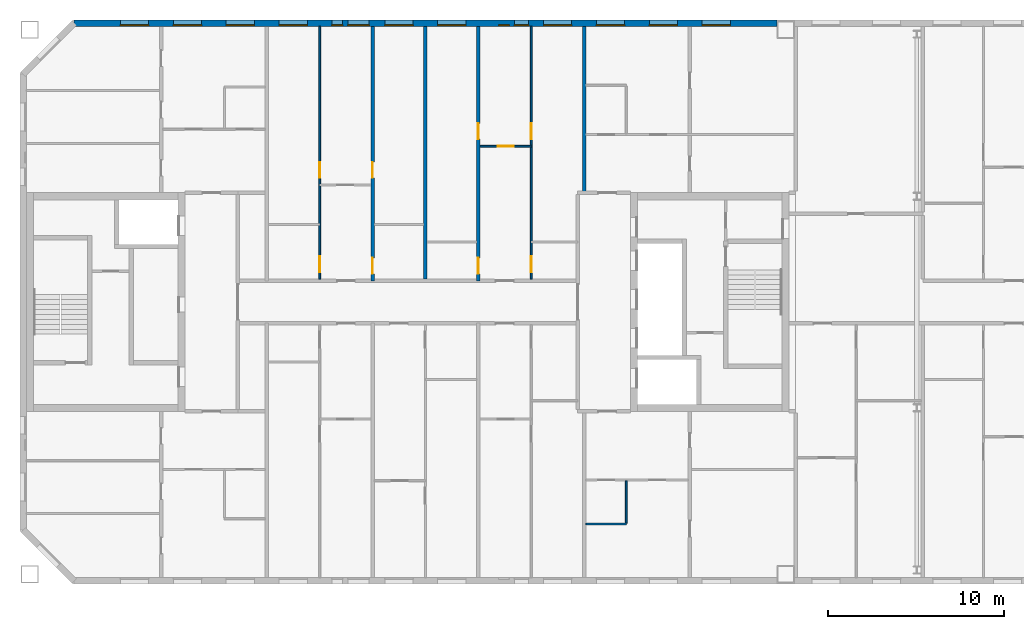
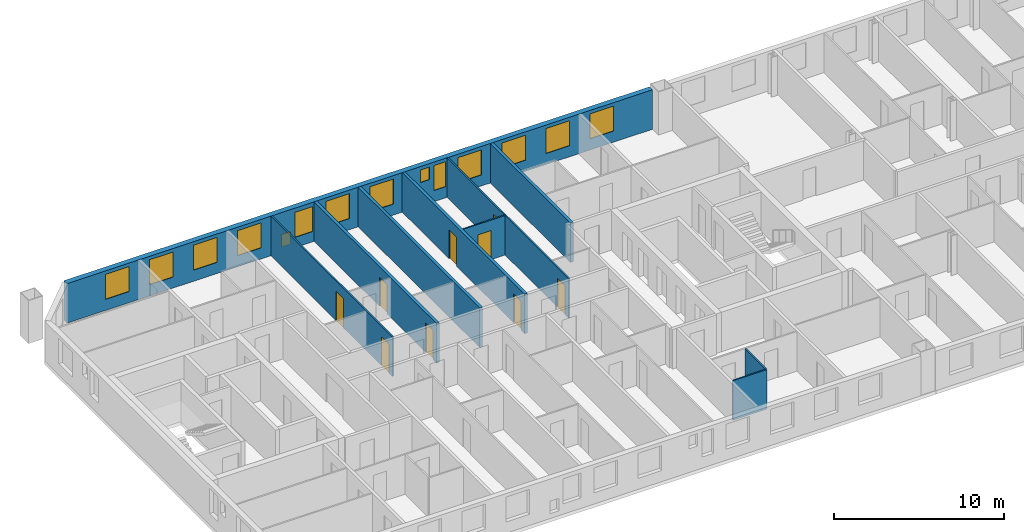
# One storey, part 7 of 19: 14 windows, 10 walls, 9 doors, 23 openings.
"""IFC4 building model written with IfcOpenShell, lengths in metres."""

from ifc_helpers import new_model, si_unit, direction, frame, frame_2d, origin, place, context, subcontext, project, spatial, rectangle, extrude, material, layer, layer_set, type_object, element, fill, save


model = new_model("IFC4")

# Units and contexts
model_context = context("Model", 3, precision=1e-05, world=origin(), true_north=direction((0.0, 1.0)))
body_context = subcontext(model_context, "Body", "Model", "MODEL_VIEW")
ifc_project = project(units=[si_unit("LENGTHUNIT", "METRE"), si_unit("AREAUNIT", "SQUARE_METRE"), si_unit("VOLUMEUNIT", "CUBIC_METRE"), si_unit("PLANEANGLEUNIT", "RADIAN"), si_unit("MASSUNIT", "GRAM", prefix="KILO")], contexts=[model_context])

# Site, building, storey
site_placement = place(None, origin())
site = spatial("IfcSite", under=ifc_project, at=site_placement, CompositionType="ELEMENT")
building_placement = place(site_placement, origin())
building = spatial("IfcBuilding", under=site, at=building_placement, Name="Tuart Gate Housing", CompositionType="ELEMENT")
storey_placement = place(building_placement, frame((0.0, 0.0, 227.60009765625)))
storey = spatial("IfcBuildingStorey", under=building, at=storey_placement, Name="L64", CompositionType="ELEMENT", Elevation=227.60009765625)

# Wall, openings, windows
ifc_material_1 = material(Name="Brick", Category="masonry")
ifc_layer_1 = layer(ifc_material_1, 0.360107421875)
ifc_layer_set_1 = layer_set([ifc_layer_1], Name="Brick pier and spandrel wall 360")
wall_type_1 = type_object("IfcWallType", Name="Brick pier and spandrel wall 360", PredefinedType="STANDARD", material=ifc_layer_set_1)
wall_1_placement = place(storey_placement, frame((74.949951171875, 85.820068359375, 0.0), z_axis=(0.0, 0.0, 1.0), x_axis=(-1.0, 0.0, 0.0)))
wall_1 = element("IfcWall", 1, at=wall_1_placement, inside=storey, type_object=wall_type_1, Name="External wall BLK-N L64", PredefinedType="STANDARD", context=body_context, shape_type="SweptSolid", body=[
    extrude(rectangle(XDim=39.87548828125, YDim=0.360107421875, at=frame_2d((19.937744140625, 0.0))), origin(), (0.0, 0.0, 1.0), 2.849853515625),
])
opening_1_placement = place(wall_1_placement, frame((2.64990234375, 0.0, 0.800048828125)))
opening_1 = element("IfcOpeningElement", 2, at=opening_1_placement, cuts=wall_1, Name="Opening W1", PredefinedType="OPENING", context=body_context, shape_type="SweptSolid", body=[
    extrude(rectangle(XDim=1.60009765625, YDim=1.800048828125, at=frame_2d((0.800048828125, 0.89990234375))), frame((0.0, 0.18994140625, 0.0), z_axis=(0.0, -1.0, 0.0), x_axis=(1.0, 0.0, 0.0)), (0.0, 0.0, 1.0), 0.380126953125),
])
opening_2_placement = place(wall_1_placement, frame((5.64990234375, 0.0, 0.800048828125)))
opening_2 = element("IfcOpeningElement", 3, at=opening_2_placement, cuts=wall_1, Name="Opening W1", PredefinedType="OPENING", context=body_context, shape_type="SweptSolid", body=[
    extrude(rectangle(XDim=1.60009765625, YDim=1.800048828125, at=frame_2d((0.800048828125, 0.89990234375))), frame((0.0, 0.18994140625, 0.0), z_axis=(0.0, -1.0, 0.0), x_axis=(1.0, 0.0, 0.0)), (0.0, 0.0, 1.0), 0.380126953125),
])
opening_3_placement = place(wall_1_placement, frame((8.64990234375, 0.0, 0.800048828125)))
opening_3 = element("IfcOpeningElement", 4, at=opening_3_placement, cuts=wall_1, Name="Opening W1", PredefinedType="OPENING", context=body_context, shape_type="SweptSolid", body=[
    extrude(rectangle(XDim=1.60009765625, YDim=1.800048828125, at=frame_2d((0.800048828125, 0.89990234375))), frame((0.0, 0.18994140625, 0.0), z_axis=(0.0, -1.0, 0.0), x_axis=(1.0, 0.0, 0.0)), (0.0, 0.0, 1.0), 0.380126953125),
])
opening_4_placement = place(wall_1_placement, frame((11.64990234375, 0.0, 0.800048828125)))
opening_4 = element("IfcOpeningElement", 5, at=opening_4_placement, cuts=wall_1, Name="Opening W1", PredefinedType="OPENING", context=body_context, shape_type="SweptSolid", body=[
    extrude(rectangle(XDim=1.60009765625, YDim=1.800048828125, at=frame_2d((0.800048828125, 0.89990234375))), frame((0.0, 0.18994140625, 0.0), z_axis=(0.0, -1.0, 0.0), x_axis=(1.0, 0.0, 0.0)), (0.0, 0.0, 1.0), 0.380126953125),
])
opening_5_placement = place(wall_1_placement, frame((14.10009765625, 0.0, 0.800048828125)))
opening_5 = element("IfcOpeningElement", 6, at=opening_5_placement, cuts=wall_1, Name="Opening W1D", PredefinedType="OPENING", context=body_context, shape_type="SweptSolid", body=[
    extrude(rectangle(XDim=0.800048828125, YDim=1.800048828125, at=frame_2d((0.39990234375, 0.89990234375))), frame((0.0, 0.18994140625, 0.0), z_axis=(0.0, -1.0, 0.0), x_axis=(1.0, 0.0, 0.0)), (0.0, 0.0, 1.0), 0.380126953125),
])
opening_6_placement = place(wall_1_placement, frame((17.64990234375, 0.0, 0.800048828125)))
opening_6 = element("IfcOpeningElement", 7, at=opening_6_placement, cuts=wall_1, Name="Opening W1", PredefinedType="OPENING", context=body_context, shape_type="SweptSolid", body=[
    extrude(rectangle(XDim=1.60009765625, YDim=1.800048828125, at=frame_2d((0.800048828125, 0.89990234375))), frame((0.0, 0.18994140625, 0.0), z_axis=(0.0, -1.0, 0.0), x_axis=(1.0, 0.0, 0.0)), (0.0, 0.0, 1.0), 0.380126953125),
])
opening_7_placement = place(wall_1_placement, frame((20.64990234375, 0.0, 0.800048828125)))
opening_7 = element("IfcOpeningElement", 8, at=opening_7_placement, cuts=wall_1, Name="Opening W1", PredefinedType="OPENING", context=body_context, shape_type="SweptSolid", body=[
    extrude(rectangle(XDim=1.60009765625, YDim=1.800048828125, at=frame_2d((0.800048828125, 0.89990234375))), frame((0.0, 0.18994140625, 0.0), z_axis=(0.0, -1.0, 0.0), x_axis=(1.0, 0.0, 0.0)), (0.0, 0.0, 1.0), 0.380126953125),
])
opening_8_placement = place(wall_1_placement, frame((23.14990234375, 0.0, 0.75)))
opening_8 = element("IfcOpeningElement", 9, at=opening_8_placement, cuts=wall_1, Name="Opening W1B", PredefinedType="OPENING", context=body_context, shape_type="SweptSolid", body=[
    extrude(rectangle(XDim=1.199951171875, YDim=1.800048828125, at=frame_2d((0.60009765625, 0.89990234375))), frame((0.0, 0.18994140625, 0.0), z_axis=(0.0, -1.0, 0.0), x_axis=(1.0, 0.0, 0.0)), (0.0, 0.0, 1.0), 0.380126953125),
])
opening_9_placement = place(wall_1_placement, frame((26.64990234375, 0.0, 0.800048828125)))
opening_9 = element("IfcOpeningElement", 10, at=opening_9_placement, cuts=wall_1, Name="Opening W1", PredefinedType="OPENING", context=body_context, shape_type="SweptSolid", body=[
    extrude(rectangle(XDim=1.60009765625, YDim=1.800048828125, at=frame_2d((0.800048828125, 0.89990234375))), frame((0.0, 0.18994140625, 0.0), z_axis=(0.0, -1.0, 0.0), x_axis=(1.0, 0.0, 0.0)), (0.0, 0.0, 1.0), 0.380126953125),
])
opening_10_placement = place(wall_1_placement, frame((29.64990234375, 0.0, 0.800048828125)))
opening_10 = element("IfcOpeningElement", 11, at=opening_10_placement, cuts=wall_1, Name="Opening W1", PredefinedType="OPENING", context=body_context, shape_type="SweptSolid", body=[
    extrude(rectangle(XDim=1.60009765625, YDim=1.800048828125, at=frame_2d((0.800048828125, 0.89990234375))), frame((0.0, 0.18994140625, 0.0), z_axis=(0.0, -1.0, 0.0), x_axis=(1.0, 0.0, 0.0)), (0.0, 0.0, 1.0), 0.380126953125),
])
opening_11_placement = place(wall_1_placement, frame((32.64990234375, 0.0, 0.800048828125)))
opening_11 = element("IfcOpeningElement", 12, at=opening_11_placement, cuts=wall_1, Name="Opening W1", PredefinedType="OPENING", context=body_context, shape_type="SweptSolid", body=[
    extrude(rectangle(XDim=1.60009765625, YDim=1.800048828125, at=frame_2d((0.800048828125, 0.89990234375))), frame((0.0, 0.18994140625, 0.0), z_axis=(0.0, -1.0, 0.0), x_axis=(1.0, 0.0, 0.0)), (0.0, 0.0, 1.0), 0.380126953125),
])
opening_12_placement = place(wall_1_placement, frame((35.64990234375, 0.0, 0.800048828125)))
opening_12 = element("IfcOpeningElement", 13, at=opening_12_placement, cuts=wall_1, Name="Opening W1", PredefinedType="OPENING", context=body_context, shape_type="SweptSolid", body=[
    extrude(rectangle(XDim=1.60009765625, YDim=1.800048828125, at=frame_2d((0.800048828125, 0.89990234375))), frame((0.0, 0.18994140625, 0.0), z_axis=(0.0, -1.0, 0.0), x_axis=(1.0, 0.0, 0.0)), (0.0, 0.0, 1.0), 0.380126953125),
])
opening_13_placement = place(wall_1_placement, frame((15.199951171875, 0.0, 1.699951171875)))
opening_13 = element("IfcOpeningElement", 14, at=opening_13_placement, cuts=wall_1, Name="Opening W1W", PredefinedType="OPENING", context=body_context, shape_type="SweptSolid", body=[
    extrude(rectangle(XDim=0.60009765625, YDim=0.89990234375, at=frame_2d((0.300048828125, 0.449951171875))), frame((0.0, 0.18994140625, 0.0), z_axis=(0.0, -1.0, 0.0), x_axis=(1.0, 0.0, 0.0)), (0.0, 0.0, 1.0), 0.380126953125),
])
opening_14_placement = place(wall_1_placement, frame((24.64990234375, 0.0, 0.35009765625)))
opening_14 = element("IfcOpeningElement", 15, at=opening_14_placement, cuts=wall_1, Name="Opening W1W", PredefinedType="OPENING", context=body_context, shape_type="SweptSolid", body=[
    extrude(rectangle(XDim=0.60009765625, YDim=0.89990234375, at=frame_2d((0.300048828125, 0.449951171875))), frame((0.0, 0.18994140625, 0.0), z_axis=(0.0, -1.0, 0.0), x_axis=(1.0, 0.0, 0.0)), (0.0, 0.0, 1.0), 0.380126953125),
])
ifc_material_2 = material(Name="Aluminium frame with clear glass", Category="aluminium")
window_type_1 = type_object("IfcWindowType", Name="Punched window 1200 x 1800", PartitioningType="SINGLE_PANEL", PredefinedType="WINDOW", material=ifc_material_2)
window_1_placement = place(opening_8_placement, origin())
window_1 = element("IfcWindow", 16, at=window_1_placement, inside=storey, type_object=window_type_1, Name="Window W1B", OverallHeight=1.800048828125, OverallWidth=1.199951171875, PartitioningType="SINGLE_PANEL", PredefinedType="WINDOW", context=body_context, shape_type="SweptSolid", body=[
    extrude(rectangle(XDim=1.199951171875, YDim=1.800048828125, at=frame_2d((0.60009765625, 0.89990234375))), frame((0.0, 0.150146484375, 0.0), z_axis=(0.0, -1.0, 0.0), x_axis=(1.0, 0.0, 0.0)), (0.0, 0.0, 1.0), 0.06005859375),
])
fill(opening_8, window_1)
ifc_material_3 = material(Name="Aluminium frame with clear glass", Category="aluminium")
window_type_2 = type_object("IfcWindowType", Name="Punched window 1600 x 1800", PartitioningType="SINGLE_PANEL", PredefinedType="WINDOW", material=ifc_material_3)
window_2_placement = place(opening_1_placement, origin())
window_2 = element("IfcWindow", 17, at=window_2_placement, inside=storey, type_object=window_type_2, Name="Window W1", OverallHeight=1.800048828125, OverallWidth=1.60009765625, PartitioningType="SINGLE_PANEL", PredefinedType="WINDOW", context=body_context, shape_type="SweptSolid", body=[
    extrude(rectangle(XDim=1.60009765625, YDim=1.800048828125, at=frame_2d((0.800048828125, 0.89990234375))), frame((0.0, 0.150146484375, 0.0), z_axis=(0.0, -1.0, 0.0), x_axis=(1.0, 0.0, 0.0)), (0.0, 0.0, 1.0), 0.06005859375),
])
fill(opening_1, window_2)
window_3_placement = place(opening_2_placement, origin())
window_3 = element("IfcWindow", 18, at=window_3_placement, inside=storey, type_object=window_type_2, Name="Window W1", OverallHeight=1.800048828125, OverallWidth=1.60009765625, PartitioningType="SINGLE_PANEL", PredefinedType="WINDOW", context=body_context, shape_type="SweptSolid", body=[
    extrude(rectangle(XDim=1.60009765625, YDim=1.800048828125, at=frame_2d((0.800048828125, 0.89990234375))), frame((0.0, 0.150146484375, 0.0), z_axis=(0.0, -1.0, 0.0), x_axis=(1.0, 0.0, 0.0)), (0.0, 0.0, 1.0), 0.06005859375),
])
fill(opening_2, window_3)
window_4_placement = place(opening_3_placement, origin())
window_4 = element("IfcWindow", 19, at=window_4_placement, inside=storey, type_object=window_type_2, Name="Window W1", OverallHeight=1.800048828125, OverallWidth=1.60009765625, PartitioningType="SINGLE_PANEL", PredefinedType="WINDOW", context=body_context, shape_type="SweptSolid", body=[
    extrude(rectangle(XDim=1.60009765625, YDim=1.800048828125, at=frame_2d((0.800048828125, 0.89990234375))), frame((0.0, 0.150146484375, 0.0), z_axis=(0.0, -1.0, 0.0), x_axis=(1.0, 0.0, 0.0)), (0.0, 0.0, 1.0), 0.06005859375),
])
fill(opening_3, window_4)
window_5_placement = place(opening_4_placement, origin())
window_5 = element("IfcWindow", 20, at=window_5_placement, inside=storey, type_object=window_type_2, Name="Window W1", OverallHeight=1.800048828125, OverallWidth=1.60009765625, PartitioningType="SINGLE_PANEL", PredefinedType="WINDOW", context=body_context, shape_type="SweptSolid", body=[
    extrude(rectangle(XDim=1.60009765625, YDim=1.800048828125, at=frame_2d((0.800048828125, 0.89990234375))), frame((0.0, 0.150146484375, 0.0), z_axis=(0.0, -1.0, 0.0), x_axis=(1.0, 0.0, 0.0)), (0.0, 0.0, 1.0), 0.06005859375),
])
fill(opening_4, window_5)
window_6_placement = place(opening_6_placement, origin())
window_6 = element("IfcWindow", 21, at=window_6_placement, inside=storey, type_object=window_type_2, Name="Window W1", OverallHeight=1.800048828125, OverallWidth=1.60009765625, PartitioningType="SINGLE_PANEL", PredefinedType="WINDOW", context=body_context, shape_type="SweptSolid", body=[
    extrude(rectangle(XDim=1.60009765625, YDim=1.800048828125, at=frame_2d((0.800048828125, 0.89990234375))), frame((0.0, 0.150146484375, 0.0), z_axis=(0.0, -1.0, 0.0), x_axis=(1.0, 0.0, 0.0)), (0.0, 0.0, 1.0), 0.06005859375),
])
fill(opening_6, window_6)
window_7_placement = place(opening_7_placement, origin())
window_7 = element("IfcWindow", 22, at=window_7_placement, inside=storey, type_object=window_type_2, Name="Window W1", OverallHeight=1.800048828125, OverallWidth=1.60009765625, PartitioningType="SINGLE_PANEL", PredefinedType="WINDOW", context=body_context, shape_type="SweptSolid", body=[
    extrude(rectangle(XDim=1.60009765625, YDim=1.800048828125, at=frame_2d((0.800048828125, 0.89990234375))), frame((0.0, 0.150146484375, 0.0), z_axis=(0.0, -1.0, 0.0), x_axis=(1.0, 0.0, 0.0)), (0.0, 0.0, 1.0), 0.06005859375),
])
fill(opening_7, window_7)
window_8_placement = place(opening_9_placement, origin())
window_8 = element("IfcWindow", 23, at=window_8_placement, inside=storey, type_object=window_type_2, Name="Window W1", OverallHeight=1.800048828125, OverallWidth=1.60009765625, PartitioningType="SINGLE_PANEL", PredefinedType="WINDOW", context=body_context, shape_type="SweptSolid", body=[
    extrude(rectangle(XDim=1.60009765625, YDim=1.800048828125, at=frame_2d((0.800048828125, 0.89990234375))), frame((0.0, 0.150146484375, 0.0), z_axis=(0.0, -1.0, 0.0), x_axis=(1.0, 0.0, 0.0)), (0.0, 0.0, 1.0), 0.06005859375),
])
fill(opening_9, window_8)
window_9_placement = place(opening_10_placement, origin())
window_9 = element("IfcWindow", 24, at=window_9_placement, inside=storey, type_object=window_type_2, Name="Window W1", OverallHeight=1.800048828125, OverallWidth=1.60009765625, PartitioningType="SINGLE_PANEL", PredefinedType="WINDOW", context=body_context, shape_type="SweptSolid", body=[
    extrude(rectangle(XDim=1.60009765625, YDim=1.800048828125, at=frame_2d((0.800048828125, 0.89990234375))), frame((0.0, 0.150146484375, 0.0), z_axis=(0.0, -1.0, 0.0), x_axis=(1.0, 0.0, 0.0)), (0.0, 0.0, 1.0), 0.06005859375),
])
fill(opening_10, window_9)
window_10_placement = place(opening_11_placement, origin())
window_10 = element("IfcWindow", 25, at=window_10_placement, inside=storey, type_object=window_type_2, Name="Window W1", OverallHeight=1.800048828125, OverallWidth=1.60009765625, PartitioningType="SINGLE_PANEL", PredefinedType="WINDOW", context=body_context, shape_type="SweptSolid", body=[
    extrude(rectangle(XDim=1.60009765625, YDim=1.800048828125, at=frame_2d((0.800048828125, 0.89990234375))), frame((0.0, 0.150146484375, 0.0), z_axis=(0.0, -1.0, 0.0), x_axis=(1.0, 0.0, 0.0)), (0.0, 0.0, 1.0), 0.06005859375),
])
fill(opening_11, window_10)
window_11_placement = place(opening_12_placement, origin())
window_11 = element("IfcWindow", 26, at=window_11_placement, inside=storey, type_object=window_type_2, Name="Window W1", OverallHeight=1.800048828125, OverallWidth=1.60009765625, PartitioningType="SINGLE_PANEL", PredefinedType="WINDOW", context=body_context, shape_type="SweptSolid", body=[
    extrude(rectangle(XDim=1.60009765625, YDim=1.800048828125, at=frame_2d((0.800048828125, 0.89990234375))), frame((0.0, 0.150146484375, 0.0), z_axis=(0.0, -1.0, 0.0), x_axis=(1.0, 0.0, 0.0)), (0.0, 0.0, 1.0), 0.06005859375),
])
fill(opening_12, window_11)
ifc_material_4 = material(Name="Aluminium frame with clear glass", Category="aluminium")
window_type_3 = type_object("IfcWindowType", Name="Punched window 600 x 900", PartitioningType="SINGLE_PANEL", PredefinedType="WINDOW", material=ifc_material_4)
window_12_placement = place(opening_13_placement, origin())
window_12 = element("IfcWindow", 27, at=window_12_placement, inside=storey, type_object=window_type_3, Name="Window W1W", OverallHeight=0.89990234375, OverallWidth=0.60009765625, PartitioningType="SINGLE_PANEL", PredefinedType="WINDOW", context=body_context, shape_type="SweptSolid", body=[
    extrude(rectangle(XDim=0.60009765625, YDim=0.89990234375, at=frame_2d((0.300048828125, 0.449951171875))), frame((0.0, 0.150146484375, 0.0), z_axis=(0.0, -1.0, 0.0), x_axis=(1.0, 0.0, 0.0)), (0.0, 0.0, 1.0), 0.06005859375),
])
fill(opening_13, window_12)
window_13_placement = place(opening_14_placement, origin())
window_13 = element("IfcWindow", 28, at=window_13_placement, inside=storey, type_object=window_type_3, Name="Window W1W", OverallHeight=0.89990234375, OverallWidth=0.60009765625, PartitioningType="SINGLE_PANEL", PredefinedType="WINDOW", context=body_context, shape_type="SweptSolid", body=[
    extrude(rectangle(XDim=0.60009765625, YDim=0.89990234375, at=frame_2d((0.300048828125, 0.449951171875))), frame((0.0, 0.150146484375, 0.0), z_axis=(0.0, -1.0, 0.0), x_axis=(1.0, 0.0, 0.0)), (0.0, 0.0, 1.0), 0.06005859375),
])
fill(opening_14, window_13)
ifc_material_5 = material(Name="Aluminium frame with clear glass", Category="aluminium")
window_type_4 = type_object("IfcWindowType", Name="Punched window 800 x 1800", PartitioningType="SINGLE_PANEL", PredefinedType="WINDOW", material=ifc_material_5)
window_14_placement = place(opening_5_placement, origin())
window_14 = element("IfcWindow", 29, at=window_14_placement, inside=storey, type_object=window_type_4, Name="Window W1D", OverallHeight=1.800048828125, OverallWidth=0.800048828125, PartitioningType="SINGLE_PANEL", PredefinedType="WINDOW", context=body_context, shape_type="SweptSolid", body=[
    extrude(rectangle(XDim=0.800048828125, YDim=1.800048828125, at=frame_2d((0.39990234375, 0.89990234375))), frame((0.0, 0.150146484375, 0.0), z_axis=(0.0, -1.0, 0.0), x_axis=(1.0, 0.0, 0.0)), (0.0, 0.0, 1.0), 0.06005859375),
])
fill(opening_5, window_14)

# Wall
ifc_material_6 = material(Name="Gypsum board on steel studs", Category="steel")
ifc_layer_2 = layer(ifc_material_6, 0.10009765625)
ifc_layer_set_2 = layer_set([ifc_layer_2], Name="Partition 100")
wall_type_2 = type_object("IfcWallType", Name="Partition 100", PredefinedType="PARTITIONING", material=ifc_layer_set_2)
wall_2_placement = place(storey_placement, frame((64.10009765625, 57.39990234375, 0.0), z_axis=(0.0, 0.0, 1.0), x_axis=(1.0, 0.0, 0.0)))
element("IfcWall", 30, at=wall_2_placement, inside=storey, type_object=wall_type_2, Name="Partition 100", PredefinedType="PARTITIONING", context=body_context, shape_type="SweptSolid", body=[
    extrude(rectangle(XDim=2.2998046875, YDim=0.10009765625, at=frame_2d((1.14990234375, 0.0))), origin(), (0.0, 0.0, 1.0), 2.849853515625),
])

# Wall, opening, door
wall_3_placement = place(storey_placement, frame((58.10009765625, 78.840087890625, 0.0), z_axis=(0.0, 0.0, 1.0), x_axis=(1.0, 0.0, 0.0)))
wall_3 = element("IfcWall", 31, at=wall_3_placement, inside=storey, type_object=wall_type_2, Name="Partition 100", PredefinedType="PARTITIONING", context=body_context, shape_type="SweptSolid", body=[
    extrude(rectangle(XDim=2.89990234375, YDim=0.10009765625, at=frame_2d((1.449951171875, 0.0))), origin(), (0.0, 0.0, 1.0), 2.849853515625),
])
opening_15_placement = place(wall_3_placement, frame((1.0, 0.0, 0.0)))
opening_15 = element("IfcOpeningElement", 32, at=opening_15_placement, cuts=wall_3, Name="Opening D2285", PredefinedType="OPENING", context=body_context, shape_type="SweptSolid", body=[
    extrude(rectangle(XDim=0.89990234375, YDim=2.10009765625, at=frame_2d((0.449951171875, 1.050048828125))), frame((0.0, 0.06005859375, 0.0), z_axis=(0.0, -1.0, 0.0), x_axis=(1.0, 0.0, 0.0)), (0.0, 0.0, 1.0), 0.1201171875),
])
ifc_material_7 = material(Name="Timber door leaf in steel frame", Category="steel")
door_type_1 = type_object("IfcDoorType", Name="Internal door 900", OperationType="SINGLE_SWING_LEFT", PredefinedType="DOOR", material=ifc_material_7)
door_1_placement = place(opening_15_placement, frame((0.89990234375, 0.0, 0.0), z_axis=(0.0, 0.0, 1.0), x_axis=(-1.0, 0.0, 0.0)))
door_1 = element("IfcDoor", 33, at=door_1_placement, inside=storey, type_object=door_type_1, Name="Internal door", OperationType="SINGLE_SWING_LEFT", OverallHeight=2.10009765625, OverallWidth=0.89990234375, PredefinedType="DOOR", context=body_context, shape_type="SweptSolid", body=[
    extrude(rectangle(XDim=0.89990234375, YDim=2.10009765625, at=frame_2d((0.449951171875, 1.050048828125))), frame((0.0, 0.025146484375, 0.0), z_axis=(0.0, -1.0, 0.0), x_axis=(1.0, 0.0, 0.0)), (0.0, 0.0, 1.0), 0.050048828125),
])
fill(opening_15, door_1)

# Wall, openings, doors
wall_4_placement = place(storey_placement, frame((49.0, 71.300048828125, 0.0), z_axis=(0.0, 0.0, 1.0), x_axis=(0.0, 1.0, 0.0)))
wall_4 = element("IfcWall", 34, at=wall_4_placement, inside=storey, type_object=wall_type_2, Name="Partition 100", PredefinedType="PARTITIONING", context=body_context, shape_type="SweptSolid", body=[
    extrude(rectangle(XDim=14.33984375, YDim=0.10009765625, at=frame_2d((7.169921875, 0.0))), origin(), (0.0, 0.0, 1.0), 2.849853515625),
])
opening_16_placement = place(wall_4_placement, frame((5.739990234375, 0.0, 0.0)))
opening_16 = element("IfcOpeningElement", 35, at=opening_16_placement, cuts=wall_4, Name="Opening D2287", PredefinedType="OPENING", context=body_context, shape_type="SweptSolid", body=[
    extrude(rectangle(XDim=0.89990234375, YDim=2.10009765625, at=frame_2d((0.449951171875, 1.050048828125))), frame((0.0, 0.06005859375, 0.0), z_axis=(0.0, -1.0, 0.0), x_axis=(1.0, 0.0, 0.0)), (0.0, 0.0, 1.0), 0.1201171875),
])
opening_17_placement = place(wall_4_placement, frame((0.39990234375, 0.0, 0.0)))
opening_17 = element("IfcOpeningElement", 36, at=opening_17_placement, cuts=wall_4, Name="Opening D2286", PredefinedType="OPENING", context=body_context, shape_type="SweptSolid", body=[
    extrude(rectangle(XDim=0.89990234375, YDim=2.10009765625, at=frame_2d((0.449951171875, 1.050048828125))), frame((0.0, 0.06005859375, 0.0), z_axis=(0.0, -1.0, 0.0), x_axis=(1.0, 0.0, 0.0)), (0.0, 0.0, 1.0), 0.1201171875),
])
ifc_material_8 = material(Name="Timber door leaf in steel frame", Category="steel")
door_type_2 = type_object("IfcDoorType", Name="Bathroom door 900", OperationType="SINGLE_SWING_LEFT", PredefinedType="DOOR", material=ifc_material_8)
door_2_placement = place(opening_17_placement, origin())
door_2 = element("IfcDoor", 37, at=door_2_placement, inside=storey, type_object=door_type_2, Name="Bathroom door", OperationType="SINGLE_SWING_LEFT", OverallHeight=2.10009765625, OverallWidth=0.89990234375, PredefinedType="DOOR", context=body_context, shape_type="SweptSolid", body=[
    extrude(rectangle(XDim=0.89990234375, YDim=2.10009765625, at=frame_2d((0.449951171875, 1.050048828125))), frame((0.0, 0.02490234375, 0.0), z_axis=(0.0, -1.0, 0.0), x_axis=(1.0, 0.0, 0.0)), (0.0, 0.0, 1.0), 0.050048828125),
])
fill(opening_17, door_2)
door_3_placement = place(opening_16_placement, origin())
door_3 = element("IfcDoor", 38, at=door_3_placement, inside=storey, type_object=door_type_1, Name="Internal door", OperationType="SINGLE_SWING_LEFT", OverallHeight=2.10009765625, OverallWidth=0.89990234375, PredefinedType="DOOR", context=body_context, shape_type="SweptSolid", body=[
    extrude(rectangle(XDim=0.89990234375, YDim=2.10009765625, at=frame_2d((0.449951171875, 1.050048828125))), frame((0.0, 0.02490234375, 0.0), z_axis=(0.0, -1.0, 0.0), x_axis=(1.0, 0.0, 0.0)), (0.0, 0.0, 1.0), 0.050048828125),
])
fill(opening_16, door_3)

wall_5_placement = place(storey_placement, frame((61.0, 71.300048828125, 0.0), z_axis=(0.0, 0.0, 1.0), x_axis=(0.0, 1.0, 0.0)))
wall_5 = element("IfcWall", 39, at=wall_5_placement, inside=storey, type_object=wall_type_2, Name="Partition 100", PredefinedType="PARTITIONING", context=body_context, shape_type="SweptSolid", body=[
    extrude(rectangle(XDim=14.33984375, YDim=0.10009765625, at=frame_2d((7.169921875, 0.0))), origin(), (0.0, 0.0, 1.0), 2.849853515625),
])
opening_18_placement = place(wall_5_placement, frame((7.93994140625, 0.0, 0.0)))
opening_18 = element("IfcOpeningElement", 40, at=opening_18_placement, cuts=wall_5, Name="Opening D2289", PredefinedType="OPENING", context=body_context, shape_type="SweptSolid", body=[
    extrude(rectangle(XDim=0.89990234375, YDim=2.10009765625, at=frame_2d((0.449951171875, 1.050048828125))), frame((0.0, 0.06005859375, 0.0), z_axis=(0.0, -1.0, 0.0), x_axis=(1.0, 0.0, 0.0)), (0.0, 0.0, 1.0), 0.1201171875),
])
opening_19_placement = place(wall_5_placement, frame((0.39990234375, 0.0, 0.0)))
opening_19 = element("IfcOpeningElement", 41, at=opening_19_placement, cuts=wall_5, Name="Opening D2288", PredefinedType="OPENING", context=body_context, shape_type="SweptSolid", body=[
    extrude(rectangle(XDim=0.89990234375, YDim=2.10009765625, at=frame_2d((0.449951171875, 1.050048828125))), frame((0.0, 0.06005859375, 0.0), z_axis=(0.0, -1.0, 0.0), x_axis=(1.0, 0.0, 0.0)), (0.0, 0.0, 1.0), 0.1201171875),
])
ifc_material_9 = material(Name="Timber door leaf in steel frame", Category="steel")
door_type_3 = type_object("IfcDoorType", Name="Bathroom door 900 RH", OperationType="SINGLE_SWING_RIGHT", PredefinedType="DOOR", material=ifc_material_9)
door_4_placement = place(opening_19_placement, frame((0.89990234375, 0.0, 0.0), z_axis=(0.0, 0.0, 1.0), x_axis=(-1.0, 0.0, 0.0)))
door_4 = element("IfcDoor", 42, at=door_4_placement, inside=storey, type_object=door_type_3, Name="Bathroom door", OperationType="SINGLE_SWING_RIGHT", OverallHeight=2.10009765625, OverallWidth=0.89990234375, PredefinedType="DOOR", context=body_context, shape_type="SweptSolid", body=[
    extrude(rectangle(XDim=0.89990234375, YDim=2.10009765625, at=frame_2d((0.449951171875, 1.050048828125))), frame((0.0, 0.025146484375, 0.0), z_axis=(0.0, -1.0, 0.0), x_axis=(1.0, 0.0, 0.0)), (0.0, 0.0, 1.0), 0.050048828125),
])
fill(opening_19, door_4)
door_5_placement = place(opening_18_placement, frame((0.89990234375, 0.0, 0.0), z_axis=(0.0, 0.0, 1.0), x_axis=(-1.0, 0.0, 0.0)))
door_5 = element("IfcDoor", 43, at=door_5_placement, inside=storey, type_object=door_type_1, Name="Internal door", OperationType="SINGLE_SWING_LEFT", OverallHeight=2.10009765625, OverallWidth=0.89990234375, PredefinedType="DOOR", context=body_context, shape_type="SweptSolid", body=[
    extrude(rectangle(XDim=0.89990234375, YDim=2.10009765625, at=frame_2d((0.449951171875, 1.050048828125))), frame((0.0, 0.025146484375, 0.0), z_axis=(0.0, -1.0, 0.0), x_axis=(1.0, 0.0, 0.0)), (0.0, 0.0, 1.0), 0.050048828125),
])
fill(opening_18, door_5)

# Wall
wall_6_placement = place(storey_placement, frame((66.39990234375, 57.449951171875, 0.0), z_axis=(0.0, 0.0, 1.0), x_axis=(0.0, 1.0, 0.0)))
element("IfcWall", 44, at=wall_6_placement, inside=storey, type_object=wall_type_2, Name="Partition 100", PredefinedType="PARTITIONING", context=body_context, shape_type="SweptSolid", body=[
    extrude(rectangle(XDim=2.400146484375, YDim=0.10009765625, at=frame_2d((1.2001953125, 0.0))), origin(), (0.0, 0.0, 1.0), 2.849853515625),
])

# Wall, openings, doors
ifc_material_10 = material(Name="Concrete C40", Category="concrete")
ifc_layer_3 = layer(ifc_material_10, 0.199951171875)
ifc_layer_set_3 = layer_set([ifc_layer_3], Name="Party wall concrete C40 200")
wall_type_3 = type_object("IfcWallType", Name="Party wall concrete C40 200", PredefinedType="SOLIDWALL", material=ifc_layer_set_3)
wall_7_placement = place(storey_placement, frame((52.0, 71.199951171875, 0.0), z_axis=(0.0, 0.0, 1.0), x_axis=(0.0, 1.0, 0.0)))
wall_7 = element("IfcWall", 45, at=wall_7_placement, inside=storey, type_object=wall_type_3, Name="Party wall concrete C40 200", PredefinedType="SOLIDWALL", context=body_context, shape_type="SweptSolid", body=[
    extrude(rectangle(XDim=14.43994140625, YDim=0.199951171875, at=frame_2d((7.219970703125, 0.0))), origin(), (0.0, 0.0, 1.0), 2.849853515625),
])
opening_20_placement = place(wall_7_placement, frame((5.840087890625, 0.0, 0.0)))
opening_20 = element("IfcOpeningElement", 46, at=opening_20_placement, cuts=wall_7, Name="Opening D2291", PredefinedType="OPENING", context=body_context, shape_type="SweptSolid", body=[
    extrude(rectangle(XDim=0.89990234375, YDim=2.10009765625, at=frame_2d((0.449951171875, 1.050048828125))), frame((0.0, 0.10986328125, 0.0), z_axis=(0.0, -1.0, 0.0), x_axis=(1.0, 0.0, 0.0)), (0.0, 0.0, 1.0), 0.219970703125),
])
opening_21_placement = place(wall_7_placement, frame((0.39990234375, 0.0, 0.0)))
opening_21 = element("IfcOpeningElement", 47, at=opening_21_placement, cuts=wall_7, Name="Opening D2290", PredefinedType="OPENING", context=body_context, shape_type="SweptSolid", body=[
    extrude(rectangle(XDim=0.89990234375, YDim=2.10009765625, at=frame_2d((0.449951171875, 1.050048828125))), frame((0.0, 0.10986328125, 0.0), z_axis=(0.0, -1.0, 0.0), x_axis=(1.0, 0.0, 0.0)), (0.0, 0.0, 1.0), 0.219970703125),
])
door_6_placement = place(opening_21_placement, frame((0.89990234375, 0.0, 0.0), z_axis=(0.0, 0.0, 1.0), x_axis=(-1.0, 0.0, 0.0)))
door_6 = element("IfcDoor", 48, at=door_6_placement, inside=storey, type_object=door_type_3, Name="Bathroom door", OperationType="SINGLE_SWING_RIGHT", OverallHeight=2.10009765625, OverallWidth=0.89990234375, PredefinedType="DOOR", context=body_context, shape_type="SweptSolid", body=[
    extrude(rectangle(XDim=0.89990234375, YDim=2.10009765625, at=frame_2d((0.449951171875, 1.050048828125))), frame((0.0, 0.025146484375, 0.0), z_axis=(0.0, -1.0, 0.0), x_axis=(1.0, 0.0, 0.0)), (0.0, 0.0, 1.0), 0.050048828125),
])
fill(opening_21, door_6)
ifc_material_11 = material(Name="Timber door leaf in steel frame", Category="steel")
door_type_4 = type_object("IfcDoorType", Name="Internal door 900 RH", OperationType="SINGLE_SWING_RIGHT", PredefinedType="DOOR", material=ifc_material_11)
door_7_placement = place(opening_20_placement, frame((0.89990234375, 0.0, 0.0), z_axis=(0.0, 0.0, 1.0), x_axis=(-1.0, 0.0, 0.0)))
door_7 = element("IfcDoor", 49, at=door_7_placement, inside=storey, type_object=door_type_4, Name="Internal door", OperationType="SINGLE_SWING_RIGHT", OverallHeight=2.10009765625, OverallWidth=0.89990234375, PredefinedType="DOOR", context=body_context, shape_type="SweptSolid", body=[
    extrude(rectangle(XDim=0.89990234375, YDim=2.10009765625, at=frame_2d((0.449951171875, 1.050048828125))), frame((0.0, 0.025146484375, 0.0), z_axis=(0.0, -1.0, 0.0), x_axis=(1.0, 0.0, 0.0)), (0.0, 0.0, 1.0), 0.050048828125),
])
fill(opening_20, door_7)

wall_8_placement = place(storey_placement, frame((58.0, 71.199951171875, 0.0), z_axis=(0.0, 0.0, 1.0), x_axis=(0.0, 1.0, 0.0)))
wall_8 = element("IfcWall", 50, at=wall_8_placement, inside=storey, type_object=wall_type_3, Name="Party wall concrete C40 200", PredefinedType="SOLIDWALL", context=body_context, shape_type="SweptSolid", body=[
    extrude(rectangle(XDim=14.43994140625, YDim=0.199951171875, at=frame_2d((7.219970703125, 0.0))), origin(), (0.0, 0.0, 1.0), 2.849853515625),
])
opening_22_placement = place(wall_8_placement, frame((8.0400390625, 0.0, 0.0)))
opening_22 = element("IfcOpeningElement", 51, at=opening_22_placement, cuts=wall_8, Name="Opening D2293", PredefinedType="OPENING", context=body_context, shape_type="SweptSolid", body=[
    extrude(rectangle(XDim=0.89990234375, YDim=2.10009765625, at=frame_2d((0.449951171875, 1.050048828125))), frame((0.0, 0.10986328125, 0.0), z_axis=(0.0, -1.0, 0.0), x_axis=(1.0, 0.0, 0.0)), (0.0, 0.0, 1.0), 0.219970703125),
])
opening_23_placement = place(wall_8_placement, frame((0.39990234375, 0.0, 0.0)))
opening_23 = element("IfcOpeningElement", 52, at=opening_23_placement, cuts=wall_8, Name="Opening D2292", PredefinedType="OPENING", context=body_context, shape_type="SweptSolid", body=[
    extrude(rectangle(XDim=0.89990234375, YDim=2.10009765625, at=frame_2d((0.449951171875, 1.050048828125))), frame((0.0, 0.10986328125, 0.0), z_axis=(0.0, -1.0, 0.0), x_axis=(1.0, 0.0, 0.0)), (0.0, 0.0, 1.0), 0.219970703125),
])
door_8_placement = place(opening_23_placement, origin())
door_8 = element("IfcDoor", 53, at=door_8_placement, inside=storey, type_object=door_type_2, Name="Bathroom door", OperationType="SINGLE_SWING_LEFT", OverallHeight=2.10009765625, OverallWidth=0.89990234375, PredefinedType="DOOR", context=body_context, shape_type="SweptSolid", body=[
    extrude(rectangle(XDim=0.89990234375, YDim=2.10009765625, at=frame_2d((0.449951171875, 1.050048828125))), frame((0.0, 0.02490234375, 0.0), z_axis=(0.0, -1.0, 0.0), x_axis=(1.0, 0.0, 0.0)), (0.0, 0.0, 1.0), 0.050048828125),
])
fill(opening_23, door_8)
door_9_placement = place(opening_22_placement, origin())
door_9 = element("IfcDoor", 54, at=door_9_placement, inside=storey, type_object=door_type_4, Name="Internal door", OperationType="SINGLE_SWING_RIGHT", OverallHeight=2.10009765625, OverallWidth=0.89990234375, PredefinedType="DOOR", context=body_context, shape_type="SweptSolid", body=[
    extrude(rectangle(XDim=0.89990234375, YDim=2.10009765625, at=frame_2d((0.449951171875, 1.050048828125))), frame((0.0, 0.02490234375, 0.0), z_axis=(0.0, -1.0, 0.0), x_axis=(1.0, 0.0, 0.0)), (0.0, 0.0, 1.0), 0.050048828125),
])
fill(opening_22, door_9)

# Walls
wall_9_placement = place(storey_placement, frame((64.0, 76.199951171875, 0.0), z_axis=(0.0, 0.0, 1.0), x_axis=(0.0, 1.0, 0.0)))
element("IfcWall", 55, at=wall_9_placement, inside=storey, type_object=wall_type_3, Name="Party wall concrete C40 200", PredefinedType="SOLIDWALL", context=body_context, shape_type="SweptSolid", body=[
    extrude(rectangle(XDim=9.43994140625, YDim=0.199951171875, at=frame_2d((4.719970703125, 0.0))), origin(), (0.0, 0.0, 1.0), 2.849853515625),
])
ifc_material_12 = material(Name="Concrete masonry 15 MPa", Category="masonry")
ifc_layer_4 = layer(ifc_material_12, 0.199951171875)
ifc_layer_set_4 = layer_set([ifc_layer_4], Name="Party wall masonry 200")
wall_type_4 = type_object("IfcWallType", Name="Party wall masonry 200", PredefinedType="PARTITIONING", material=ifc_layer_set_4)
wall_10_placement = place(storey_placement, frame((55.0, 71.300048828125, 0.0), z_axis=(0.0, 0.0, 1.0), x_axis=(0.0, 1.0, 0.0)))
element("IfcWall", 56, at=wall_10_placement, inside=storey, type_object=wall_type_4, Name="Party wall masonry 200", PredefinedType="PARTITIONING", context=body_context, shape_type="SweptSolid", body=[
    extrude(rectangle(XDim=14.33984375, YDim=0.199951171875, at=frame_2d((7.169921875, 0.0))), origin(), (0.0, 0.0, 1.0), 2.849853515625),
])

save(model, "model.ifc")
